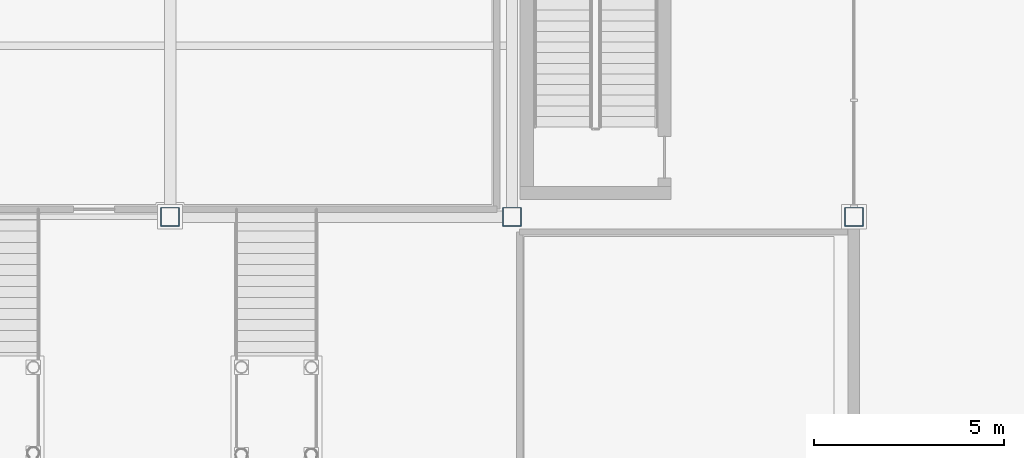
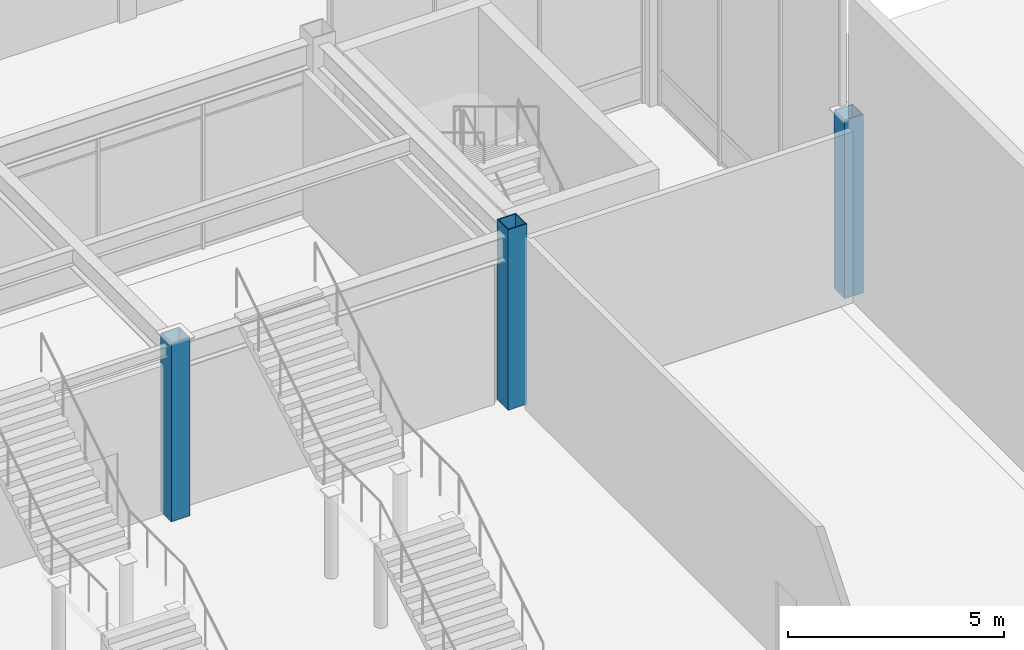
# One storey, part 12 of 123: 3 columns.
"""IFC4 building model written with IfcOpenShell, lengths in metres."""

import ifcopenshell
import ifcopenshell.guid

model = None  # the IFC model being written
_history = None  # IfcOwnerHistory: only IFC2X3 demands one
_inside = {}  # id of a spatial element -> (the spatial element, [elements in it])
_under = {}  # id of a project, library or spatial element -> (it, [spatial elements below it])
_declared = {}  # id of a project -> (the project, [libraries it declares])
_typed = {}  # id of a type object -> (the type object, [elements of that type])
_made_of = {}  # id of a material, layer set ... -> (it, [elements and type objects made of it])


def new_model(schema):
    """Start an empty IFC model of exactly this schema.

    Asked for "IFC4X3", IfcOpenShell would pick the latest addendum, in which some entities
    have other attributes; the version numbers below select the first issue.
    IFC2X3 requires an IfcOwnerHistory on every rooted entity: one is made here for all.
    """
    global model, _history
    if schema == "IFC4X3":
        model = ifcopenshell.file(schema_version=(4, 3, 0, 0))
    else:
        model = ifcopenshell.file(schema=schema)
    _inside.clear()
    _under.clear()
    _declared.clear()
    _typed.clear()
    _made_of.clear()
    _history = None
    if model.schema == "IFC2X3":
        org = make("IfcOrganization", Name="unknown")
        user = make(
            "IfcPersonAndOrganization",
            ThePerson=make("IfcPerson", FamilyName="unknown"),
            TheOrganization=org,
        )
        app = make(
            "IfcApplication",
            ApplicationDeveloper=org,
            Version="unknown",
            ApplicationFullName="unknown",
            ApplicationIdentifier="unknown",
        )
        _history = make(
            "IfcOwnerHistory",
            OwningUser=user,
            OwningApplication=app,
            ChangeAction="ADDED",
            CreationDate=0,
        )
    return model


def make(cls, **values):
    """One entity of the class cls with the attributes given. An attribute that is None is left unset."""
    return model.create_entity(
        cls, **{name: value for name, value in values.items() if value is not None}
    )


def rooted(cls, **values):
    """An entity with a GlobalId (a new one), such as an element, a storey or a relation."""
    return make(cls, GlobalId=ifcopenshell.guid.new(), OwnerHistory=_history, **values)


def si_unit(unit_type, name, prefix=None):
    """IfcSIUnit, for example si_unit("LENGTHUNIT", "METRE", prefix="MILLI")."""
    return make("IfcSIUnit", UnitType=unit_type, Prefix=prefix, Name=name)


def assignment(units):
    """IfcUnitAssignment: the units of a project."""
    return None if units is None else make("IfcUnitAssignment", Units=units)


def point(xyz):
    """IfcCartesianPoint."""
    return None if xyz is None else make("IfcCartesianPoint", Coordinates=xyz)


def direction(xyz):
    """IfcDirection."""
    return None if xyz is None else make("IfcDirection", DirectionRatios=xyz)


def frame(location, z_axis=None, x_axis=None):
    """IfcAxis2Placement3D, a coordinate frame: its origin and axes. An axis left out is left unset."""
    return make(
        "IfcAxis2Placement3D",
        Location=point(location),
        Axis=direction(z_axis),
        RefDirection=direction(x_axis),
    )


def frame_2d(location, x_axis=None):
    """IfcAxis2Placement2D, a coordinate frame in the plane: its origin and x axis."""
    return make(
        "IfcAxis2Placement2D", Location=point(location), RefDirection=direction(x_axis)
    )


def origin():
    """The frame at (0, 0, 0) with its axes left unset."""
    return frame((0.0, 0.0, 0.0))


def origin_2d():
    """The frame at (0, 0) in the plane with its x axis left unset."""
    return frame_2d((0.0, 0.0))


def place(relative_to, where):
    """IfcLocalPlacement: puts the frame where relative to a parent placement (None: the world)."""
    return make(
        "IfcLocalPlacement", PlacementRelTo=relative_to, RelativePlacement=where
    )


def context(
    kind, dimensions, precision=None, world=None, true_north=None, identifier=None
):
    """IfcGeometricRepresentationContext, for example the 3D "Model" context."""
    return make(
        "IfcGeometricRepresentationContext",
        ContextIdentifier=identifier,
        ContextType=kind,
        CoordinateSpaceDimension=dimensions,
        Precision=precision,
        WorldCoordinateSystem=world,
        TrueNorth=true_north,
    )


def subcontext(parent, identifier, kind, view, scale=None):
    """IfcGeometricRepresentationSubContext, for example "Body" below "Model"."""
    return make(
        "IfcGeometricRepresentationSubContext",
        ContextIdentifier=identifier,
        ContextType=kind,
        ParentContext=parent,
        TargetScale=scale,
        TargetView=view,
    )


def project(units=None, contexts=None):
    """IfcProject with its units and contexts."""
    return rooted(
        "IfcProject",
        Name="project",
        RepresentationContexts=contexts,
        UnitsInContext=assignment(units),
    )


def spatial(cls, under=None, at=None, **own):
    """A site, building, storey or space (cls), placed at a placement, below another one or the project."""
    s = rooted(cls, ObjectPlacement=at, **own)
    if under is not None:
        _under.setdefault(under.id(), (under, []))[1].append(s)
    return s


def profile(cls, at=None, kind="AREA", **sizes):
    """A parametric profile (cls). Its sizes go by their IFC names, for example OverallWidth=200.0."""
    return make(cls, ProfileType=kind, Position=at, **sizes)


def hollow_rectangle(**sizes):
    """IfcRectangleHollowProfileDef."""
    return profile("IfcRectangleHollowProfileDef", **sizes)


def extrude(swept, where, along, depth):
    """IfcExtrudedAreaSolid: the profile swept, set in the frame where, extruded along a direction by depth."""
    return make(
        "IfcExtrudedAreaSolid",
        SweptArea=swept,
        Position=where,
        ExtrudedDirection=direction(along),
        Depth=depth,
    )


def shape(context_of_items, identifier, shape_type, items):
    """IfcShapeRepresentation: the items that make up one representation, for example the "Body"."""
    return make(
        "IfcShapeRepresentation",
        ContextOfItems=context_of_items,
        RepresentationIdentifier=identifier,
        RepresentationType=shape_type,
        Items=items,
    )


def material(Name=None, Category=None):
    """IfcMaterial."""
    return make("IfcMaterial", Name=Name, Category=Category)


def material_profile(
    of_material, cross_section, Name=None, Category=None, Priority=None
):
    """IfcMaterialProfile: a cross section and its material."""
    return make(
        "IfcMaterialProfile",
        Name=Name,
        Material=of_material,
        Profile=cross_section,
        Priority=Priority,
        Category=Category,
    )


def profile_set(profiles, Name=None, composite=None):
    """IfcMaterialProfileSet."""
    return make(
        "IfcMaterialProfileSet",
        Name=Name,
        MaterialProfiles=profiles,
        CompositeProfile=composite,
    )


def made_of(thing, what):
    """Note that an element or type object is made of a material, layer set ...; save() writes the relation."""
    if what is not None:
        _made_of.setdefault(what.id(), (what, []))[1].append(thing)
    return thing


def type_object(cls, material=None, **own):
    """A type object (cls), such as IfcWallType, which elements share."""
    return made_of(rooted(cls, **own), material)


def element(
    cls,
    number,
    at=None,
    inside=None,
    cuts=None,
    type_object=None,
    material=None,
    context=None,
    identifier="Body",
    shape_type=None,
    held_by="IfcProductDefinitionShape",
    body=None,
    shapes=None,
    **own,
):
    """One element of the class cls, such as IfcWall. Its Tag is "e" and its number.

    at: its placement. inside: the storey or other place that contains it. cuts: it is an
    opening in that element (IfcRelVoidsElement). A single representation is given by context,
    identifier, shape_type and body (its items); several are given by shapes. held_by: the class
    of the entity that holds the representations. save() writes the other relations.
    """
    e = rooted(cls, Tag="e%d" % number, ObjectPlacement=at, **own)
    if body is not None:
        shapes = [shape(context, identifier, shape_type, body)]
    if shapes is not None:
        e.Representation = make(held_by, Representations=shapes)
    if inside is not None:
        _inside.setdefault(inside.id(), (inside, []))[1].append(e)
    if cuts is not None:
        rooted(
            "IfcRelVoidsElement", RelatingBuildingElement=cuts, RelatedOpeningElement=e
        )
    if type_object is not None:
        _typed.setdefault(type_object.id(), (type_object, []))[1].append(e)
    return made_of(e, material)


def aggregate(whole, parts):
    """IfcRelAggregates: a whole, such as a stair, and the parts it consists of."""
    return rooted("IfcRelAggregates", RelatingObject=whole, RelatedObjects=parts)


def save(model, path):
    """Write the relations noted so far, then the file.

    IfcRelAggregates (storeys below a building ...), IfcRelContainedInSpatialStructure (elements
    in a storey), IfcRelDefinesByType, IfcRelAssociatesMaterial and IfcRelDeclares: one each for
    every whole, place, type object, material and project.
    """
    for whole, parts in _under.values():
        aggregate(whole, parts)
    for where, things in _inside.values():
        rooted(
            "IfcRelContainedInSpatialStructure",
            RelatedElements=things,
            RelatingStructure=where,
        )
    for kind, things in _typed.values():
        rooted("IfcRelDefinesByType", RelatedObjects=things, RelatingType=kind)
    for what, things in _made_of.values():
        rooted("IfcRelAssociatesMaterial", RelatedObjects=things, RelatingMaterial=what)
    for by, libraries in _declared.values():
        rooted("IfcRelDeclares", RelatingContext=by, RelatedDefinitions=libraries)
    model.write(path)


model = new_model("IFC4")

# Units and contexts
model_context = context("Model", 3, precision=1e-05, world=origin(), true_north=direction((0.0, 1.0)))
body_context = subcontext(model_context, "Body", "Model", "MODEL_VIEW")
ifc_project = project(units=[si_unit("LENGTHUNIT", "METRE"), si_unit("AREAUNIT", "SQUARE_METRE"), si_unit("VOLUMEUNIT", "CUBIC_METRE"), si_unit("PLANEANGLEUNIT", "RADIAN"), si_unit("MASSUNIT", "GRAM", prefix="KILO")], contexts=[model_context])

# Site, building, storey
site_placement = place(None, origin())
site = spatial("IfcSite", under=ifc_project, at=site_placement, CompositionType="ELEMENT")
building_placement = place(site_placement, origin())
building = spatial("IfcBuilding", under=site, at=building_placement, Name="Suzunagisa Mobility Hub", CompositionType="ELEMENT")
storey_placement = place(building_placement, origin())
storey = spatial("IfcBuildingStorey", under=building, at=storey_placement, Name="L00", CompositionType="ELEMENT", Elevation=0.0)

# Columns
ifc_material = material(Name="Steel SN490B", Category="steel")
ifc_material_profile = material_profile(ifc_material, hollow_rectangle(XDim=0.5, YDim=0.5, WallThickness=0.02490234375, at=origin_2d()), Name="BCR-500x500x25")
ifc_profile_set = profile_set([ifc_material_profile], Name="Steel SN490B")
column_type = type_object("IfcColumnType", Name="Steel Column CL-11 BCR-500x500x25", PredefinedType="COLUMN", material=ifc_profile_set)
column_1_placement = place(storey_placement, frame((99.0, 62.0, 0.0), z_axis=(0.0, 0.0, 1.0), x_axis=(1.0, 0.0, 0.0)))
element("IfcColumn", 1, at=column_1_placement, inside=storey, type_object=column_type, Name="L00 Column 193", PredefinedType="COLUMN", context=body_context, shape_type="SweptSolid", body=[
    extrude(hollow_rectangle(XDim=0.5, YDim=0.5, WallThickness=0.02490234375, at=origin_2d()), origin(), (0.0, 0.0, 1.0), 5.0400390625),
])
column_2_placement = place(storey_placement, frame((108.0, 62.0, 0.0), z_axis=(0.0, 0.0, 1.0), x_axis=(1.0, 0.0, 0.0)))
element("IfcColumn", 2, at=column_2_placement, inside=storey, type_object=column_type, Name="L00 Column 202", PredefinedType="COLUMN", context=body_context, shape_type="SweptSolid", body=[
    extrude(hollow_rectangle(XDim=0.5, YDim=0.5, WallThickness=0.02490234375, at=origin_2d()), origin(), (0.0, 0.0, 1.0), 5.10009765625),
])
column_3_placement = place(storey_placement, frame((117.0, 62.0, 0.0), z_axis=(0.0, 0.0, 1.0), x_axis=(1.0, 0.0, 0.0)))
element("IfcColumn", 3, at=column_3_placement, inside=storey, type_object=column_type, Name="L00 Column 213", PredefinedType="COLUMN", context=body_context, shape_type="SweptSolid", body=[
    extrude(hollow_rectangle(XDim=0.5, YDim=0.5, WallThickness=0.02490234375, at=origin_2d()), origin(), (0.0, 0.0, 1.0), 5.0400390625),
])

save(model, "model.ifc")
